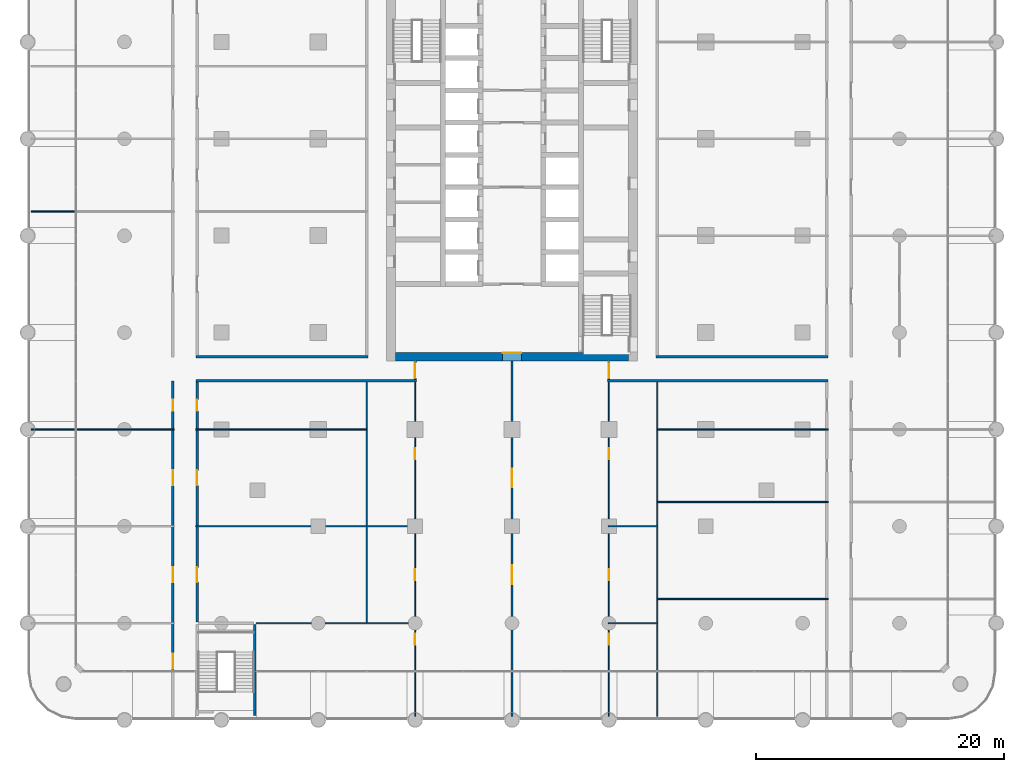
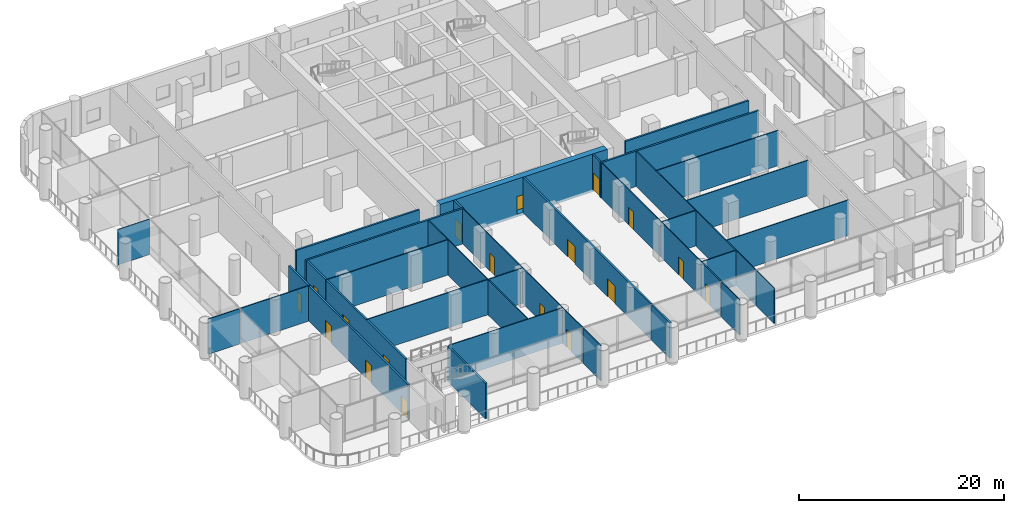
# One storey, part 10 of 24: 30 walls, 18 doors, 18 openings.
"""IFC4 building model written with IfcOpenShell, lengths in metres."""

from ifc_helpers import new_model, si_unit, direction, frame, frame_2d, origin, place, context, subcontext, project, spatial, rectangle, extrude, material, layer, layer_set, type_object, element, fill, save


model = new_model("IFC4")

# Units and contexts
model_context = context("Model", 3, precision=1e-05, world=origin(), true_north=direction((0.0, 1.0)))
body_context = subcontext(model_context, "Body", "Model", "MODEL_VIEW")
ifc_project = project(units=[si_unit("LENGTHUNIT", "METRE"), si_unit("AREAUNIT", "SQUARE_METRE"), si_unit("VOLUMEUNIT", "CUBIC_METRE"), si_unit("PLANEANGLEUNIT", "RADIAN"), si_unit("MASSUNIT", "GRAM", prefix="KILO")], contexts=[model_context])

# Site, building, storey
site_placement = place(None, origin())
site = spatial("IfcSite", under=ifc_project, at=site_placement, CompositionType="ELEMENT")
building_placement = place(site_placement, origin())
building = spatial("IfcBuilding", under=site, at=building_placement, Name="Ludao Terraces", CompositionType="ELEMENT")
storey_placement = place(building_placement, frame((0.0, 0.0, 6.0)))
storey = spatial("IfcBuildingStorey", under=building, at=storey_placement, Name="L01", CompositionType="ELEMENT", Elevation=6.0)

# Wall, opening, door
ifc_material_1 = material(Name="Concrete C70", Category="concrete")
ifc_layer_1 = layer(ifc_material_1, 0.699951171875)
ifc_layer_set_1 = layer_set([ifc_layer_1], Name="Core wall 700 C70")
wall_type_1 = type_object("IfcWallType", Name="Core wall 700 C70", PredefinedType="SOLIDWALL", material=ifc_layer_set_1)
wall_1_placement = place(storey_placement, frame((75.60009765625, 55.25, -0.300048828125), z_axis=(0.0, 0.0, 1.0), x_axis=(1.0, 0.0, 0.0)))
wall_1 = element("IfcWall", 1, at=wall_1_placement, inside=storey, type_object=wall_type_1, Name="Core wall L01 outer-S", PredefinedType="SOLIDWALL", context=body_context, shape_type="SweptSolid", body=[
    extrude(rectangle(XDim=18.7998046875, YDim=0.699951171875, at=frame_2d((9.39990234375, 0.0))), origin(), (0.0, 0.0, 1.0), 4.5),
])
opening_1_placement = place(wall_1_placement, frame((8.64990234375, 0.0, 0.300048828125)))
opening_1 = element("IfcOpeningElement", 2, at=opening_1_placement, cuts=wall_1, Name="Opening L01-027", PredefinedType="OPENING", context=body_context, shape_type="SweptSolid", body=[
    extrude(rectangle(XDim=1.5, YDim=2.10009765625, at=frame_2d((0.75, 1.050048828125))), frame((0.0, 0.35986328125, 0.0), z_axis=(0.0, -1.0, 0.0), x_axis=(1.0, 0.0, 0.0)), (0.0, 0.0, 1.0), 0.719970703125),
])
ifc_material_2 = material(Name="Steel Q235", Category="steel")
door_type_1 = type_object("IfcDoorType", Name="INT Lobby door 1500", OperationType="DOUBLE_DOOR_SINGLE_SWING", PredefinedType="DOOR", material=ifc_material_2)
door_1_placement = place(opening_1_placement, origin())
door_1 = element("IfcDoor", 3, at=door_1_placement, inside=storey, type_object=door_type_1, Name="DOOR 027", OperationType="DOUBLE_DOOR_SINGLE_SWING", OverallHeight=2.10009765625, OverallWidth=1.5, PredefinedType="DOOR", context=body_context, shape_type="SweptSolid", body=[
    extrude(rectangle(XDim=1.5, YDim=2.10009765625, at=frame_2d((0.75, 1.050048828125))), frame((0.0, 0.3349609375, 0.0), z_axis=(0.0, -1.0, 0.0), x_axis=(1.0, 0.0, 0.0)), (0.0, 0.0, 1.0), 0.050048828125),
])
fill(opening_1, door_1)

# Walls
ifc_material_3 = material(Name="Autoclaved aerated concrete block B06 A3.5", Category="concrete")
ifc_layer_2 = layer(ifc_material_3, 0.199951171875)
ifc_layer_set_2 = layer_set([ifc_layer_2], Name="INT Entrance wall 200")
wall_type_2 = type_object("IfcWallType", Name="INT Entrance wall 200", PredefinedType="PARTITIONING", material=ifc_layer_set_2)
for number, where, z_axis, x_axis, name in (
    (4, (59.550048828125, 53.300048828125, 0.0), (0.0, 0.0, 1.0), (1.0, 0.0, 0.0), "PW-L01-PW021"),
    (5, (92.7001953125, 53.300048828125, 0.0), (0.0, 0.0, 1.0), (1.0, 0.0, 0.0), "PW-L01-PW022"),
):
    element("IfcWall", number, at=place(storey_placement, frame(where, z_axis=z_axis, x_axis=x_axis)), inside=storey, type_object=wall_type_2, Name=name, PredefinedType="PARTITIONING", context=body_context, shape_type="SweptSolid", body=[
        extrude(rectangle(XDim=17.75, YDim=0.199951171875, at=frame_2d((8.875, 0.0))), origin(), (0.0, 0.0, 1.0), 4.199951171875),
    ])
for number, where, z_axis, x_axis, name in (
    (6, (59.550048828125, 55.25, 0.0), (0.0, 0.0, 1.0), (1.0, 0.0, 0.0), "PW-L01-PW023"),
    (7, (96.60009765625, 55.25, 0.0), (0.0, 0.0, 1.0), (1.0, 0.0, 0.0), "PW-L01-PW024"),
):
    element("IfcWall", number, at=place(storey_placement, frame(where, z_axis=z_axis, x_axis=x_axis)), inside=storey, type_object=wall_type_2, Name=name, PredefinedType="PARTITIONING", context=body_context, shape_type="SweptSolid", body=[
        extrude(rectangle(XDim=13.85009765625, YDim=0.199951171875, at=frame_2d((6.925048828125, 0.0))), origin(), (0.0, 0.0, 1.0), 4.199951171875),
    ])

# Wall, openings, doors
wall_2_placement = place(storey_placement, frame((57.699951171875, 29.97998046875, 0.0), z_axis=(0.0, 0.0, 1.0), x_axis=(0.0, 1.0, 0.0)))
wall_2 = element("IfcWall", 8, at=wall_2_placement, inside=storey, type_object=wall_type_2, Name="PW-L01-PW050", PredefinedType="PARTITIONING", context=body_context, shape_type="SweptSolid", body=[
    extrude(rectangle(XDim=23.320068359375, YDim=0.199951171875, at=frame_2d((11.66015625, 0.0))), origin(), (0.0, 0.0, 1.0), 4.199951171875),
])
opening_2_placement = place(wall_2_placement, frame((0.14990234375, 0.0, 0.0)))
opening_2 = element("IfcOpeningElement", 9, at=opening_2_placement, cuts=wall_2, Name="Opening L01-002", PredefinedType="OPENING", context=body_context, shape_type="SweptSolid", body=[
    extrude(rectangle(XDim=1.199951171875, YDim=2.10009765625, at=frame_2d((0.60009765625, 1.050048828125))), frame((0.0, 0.10986328125, 0.0), z_axis=(0.0, -1.0, 0.0), x_axis=(1.0, 0.0, 0.0)), (0.0, 0.0, 1.0), 0.219970703125),
])
opening_3_placement = place(wall_2_placement, frame((7.1201171875, 0.0, 0.0)))
opening_3 = element("IfcOpeningElement", 10, at=opening_3_placement, cuts=wall_2, Name="Opening L01-007", PredefinedType="OPENING", context=body_context, shape_type="SweptSolid", body=[
    extrude(rectangle(XDim=1.199951171875, YDim=2.10009765625, at=frame_2d((0.60009765625, 1.050048828125))), frame((0.0, 0.10986328125, 0.0), z_axis=(0.0, -1.0, 0.0), x_axis=(1.0, 0.0, 0.0)), (0.0, 0.0, 1.0), 0.219970703125),
])
opening_4_placement = place(wall_2_placement, frame((14.919921875, 0.0, 0.0)))
opening_4 = element("IfcOpeningElement", 11, at=opening_4_placement, cuts=wall_2, Name="Opening L01-014", PredefinedType="OPENING", context=body_context, shape_type="SweptSolid", body=[
    extrude(rectangle(XDim=1.199951171875, YDim=2.10009765625, at=frame_2d((0.60009765625, 1.050048828125))), frame((0.0, 0.10986328125, 0.0), z_axis=(0.0, -1.0, 0.0), x_axis=(1.0, 0.0, 0.0)), (0.0, 0.0, 1.0), 0.219970703125),
])
opening_5_placement = place(wall_2_placement, frame((20.919921875, 0.0, 0.0)))
opening_5 = element("IfcOpeningElement", 12, at=opening_5_placement, cuts=wall_2, Name="Opening L01-021", PredefinedType="OPENING", context=body_context, shape_type="SweptSolid", body=[
    extrude(rectangle(XDim=0.89990234375, YDim=2.10009765625, at=frame_2d((0.449951171875, 1.050048828125))), frame((0.0, 0.10986328125, 0.0), z_axis=(0.0, -1.0, 0.0), x_axis=(1.0, 0.0, 0.0)), (0.0, 0.0, 1.0), 0.219970703125),
])
ifc_material_4 = material(Name="Timber door leaf", Category="wood")
door_type_2 = type_object("IfcDoorType", Name="INT Double door 1200", OperationType="DOUBLE_DOOR_SINGLE_SWING", PredefinedType="DOOR", material=ifc_material_4)
door_2_placement = place(opening_2_placement, origin())
door_2 = element("IfcDoor", 13, at=door_2_placement, inside=storey, type_object=door_type_2, Name="DOOR 002", OperationType="DOUBLE_DOOR_SINGLE_SWING", OverallHeight=2.10009765625, OverallWidth=1.199951171875, PredefinedType="DOOR", context=body_context, shape_type="SweptSolid", body=[
    extrude(rectangle(XDim=1.199951171875, YDim=2.10009765625, at=frame_2d((0.60009765625, 1.050048828125))), frame((0.0, 0.02490234375, 0.0), z_axis=(0.0, -1.0, 0.0), x_axis=(1.0, 0.0, 0.0)), (0.0, 0.0, 1.0), 0.050048828125),
])
fill(opening_2, door_2)
door_3_placement = place(opening_3_placement, origin())
door_3 = element("IfcDoor", 14, at=door_3_placement, inside=storey, type_object=door_type_2, Name="DOOR 007", OperationType="DOUBLE_DOOR_SINGLE_SWING", OverallHeight=2.10009765625, OverallWidth=1.199951171875, PredefinedType="DOOR", context=body_context, shape_type="SweptSolid", body=[
    extrude(rectangle(XDim=1.199951171875, YDim=2.10009765625, at=frame_2d((0.60009765625, 1.050048828125))), frame((0.0, 0.02490234375, 0.0), z_axis=(0.0, -1.0, 0.0), x_axis=(1.0, 0.0, 0.0)), (0.0, 0.0, 1.0), 0.050048828125),
])
fill(opening_3, door_3)
door_4_placement = place(opening_4_placement, origin())
door_4 = element("IfcDoor", 15, at=door_4_placement, inside=storey, type_object=door_type_2, Name="DOOR 014", OperationType="DOUBLE_DOOR_SINGLE_SWING", OverallHeight=2.10009765625, OverallWidth=1.199951171875, PredefinedType="DOOR", context=body_context, shape_type="SweptSolid", body=[
    extrude(rectangle(XDim=1.199951171875, YDim=2.10009765625, at=frame_2d((0.60009765625, 1.050048828125))), frame((0.0, 0.02490234375, 0.0), z_axis=(0.0, -1.0, 0.0), x_axis=(1.0, 0.0, 0.0)), (0.0, 0.0, 1.0), 0.050048828125),
])
fill(opening_4, door_4)
door_type_3 = type_object("IfcDoorType", Name="INT Room door 900", OperationType="SINGLE_SWING_LEFT", PredefinedType="DOOR", material=ifc_material_4)
door_5_placement = place(opening_5_placement, origin())
door_5 = element("IfcDoor", 16, at=door_5_placement, inside=storey, type_object=door_type_3, Name="DOOR 021", OperationType="SINGLE_SWING_LEFT", OverallHeight=2.10009765625, OverallWidth=0.89990234375, PredefinedType="DOOR", context=body_context, shape_type="SweptSolid", body=[
    extrude(rectangle(XDim=0.89990234375, YDim=2.10009765625, at=frame_2d((0.449951171875, 1.050048828125))), frame((0.0, 0.02490234375, 0.0), z_axis=(0.0, -1.0, 0.0), x_axis=(1.0, 0.0, 0.0)), (0.0, 0.0, 1.0), 0.050048828125),
])
fill(opening_5, door_5)

wall_3_placement = place(storey_placement, frame((59.64990234375, 33.900146484375, 0.0), z_axis=(0.0, 0.0, 1.0), x_axis=(0.0, 1.0, 0.0)))
wall_3 = element("IfcWall", 17, at=wall_3_placement, inside=storey, type_object=wall_type_2, Name="PW-L01-PW052", PredefinedType="PARTITIONING", context=body_context, shape_type="SweptSolid", body=[
    extrude(rectangle(XDim=19.300048828125, YDim=0.199951171875, at=frame_2d((9.64990234375, 0.0))), origin(), (0.0, 0.0, 1.0), 4.199951171875),
])
opening_6_placement = place(wall_3_placement, frame((3.199951171875, 0.0, 0.0)))
opening_6 = element("IfcOpeningElement", 18, at=opening_6_placement, cuts=wall_3, Name="Opening L01-008", PredefinedType="OPENING", context=body_context, shape_type="SweptSolid", body=[
    extrude(rectangle(XDim=1.199951171875, YDim=2.10009765625, at=frame_2d((0.60009765625, 1.050048828125))), frame((0.0, 0.10986328125, 0.0), z_axis=(0.0, -1.0, 0.0), x_axis=(1.0, 0.0, 0.0)), (0.0, 0.0, 1.0), 0.219970703125),
])
opening_7_placement = place(wall_3_placement, frame((11.0, 0.0, 0.0)))
opening_7 = element("IfcOpeningElement", 19, at=opening_7_placement, cuts=wall_3, Name="Opening L01-015", PredefinedType="OPENING", context=body_context, shape_type="SweptSolid", body=[
    extrude(rectangle(XDim=1.199951171875, YDim=2.10009765625, at=frame_2d((0.60009765625, 1.050048828125))), frame((0.0, 0.10986328125, 0.0), z_axis=(0.0, -1.0, 0.0), x_axis=(1.0, 0.0, 0.0)), (0.0, 0.0, 1.0), 0.219970703125),
])
opening_8_placement = place(wall_3_placement, frame((17.0, 0.0, 0.0)))
opening_8 = element("IfcOpeningElement", 20, at=opening_8_placement, cuts=wall_3, Name="Opening L01-022", PredefinedType="OPENING", context=body_context, shape_type="SweptSolid", body=[
    extrude(rectangle(XDim=0.89990234375, YDim=2.10009765625, at=frame_2d((0.449951171875, 1.050048828125))), frame((0.0, 0.10986328125, 0.0), z_axis=(0.0, -1.0, 0.0), x_axis=(1.0, 0.0, 0.0)), (0.0, 0.0, 1.0), 0.219970703125),
])
door_6_placement = place(opening_6_placement, origin())
door_6 = element("IfcDoor", 21, at=door_6_placement, inside=storey, type_object=door_type_2, Name="DOOR 008", OperationType="DOUBLE_DOOR_SINGLE_SWING", OverallHeight=2.10009765625, OverallWidth=1.199951171875, PredefinedType="DOOR", context=body_context, shape_type="SweptSolid", body=[
    extrude(rectangle(XDim=1.199951171875, YDim=2.10009765625, at=frame_2d((0.60009765625, 1.050048828125))), frame((0.0, 0.02490234375, 0.0), z_axis=(0.0, -1.0, 0.0), x_axis=(1.0, 0.0, 0.0)), (0.0, 0.0, 1.0), 0.050048828125),
])
fill(opening_6, door_6)
door_7_placement = place(opening_7_placement, origin())
door_7 = element("IfcDoor", 22, at=door_7_placement, inside=storey, type_object=door_type_2, Name="DOOR 015", OperationType="DOUBLE_DOOR_SINGLE_SWING", OverallHeight=2.10009765625, OverallWidth=1.199951171875, PredefinedType="DOOR", context=body_context, shape_type="SweptSolid", body=[
    extrude(rectangle(XDim=1.199951171875, YDim=2.10009765625, at=frame_2d((0.60009765625, 1.050048828125))), frame((0.0, 0.02490234375, 0.0), z_axis=(0.0, -1.0, 0.0), x_axis=(1.0, 0.0, 0.0)), (0.0, 0.0, 1.0), 0.050048828125),
])
fill(opening_7, door_7)
door_8_placement = place(opening_8_placement, origin())
door_8 = element("IfcDoor", 23, at=door_8_placement, inside=storey, type_object=door_type_3, Name="DOOR 022", OperationType="SINGLE_SWING_LEFT", OverallHeight=2.10009765625, OverallWidth=0.89990234375, PredefinedType="DOOR", context=body_context, shape_type="SweptSolid", body=[
    extrude(rectangle(XDim=0.89990234375, YDim=2.10009765625, at=frame_2d((0.449951171875, 1.050048828125))), frame((0.0, 0.02490234375, 0.0), z_axis=(0.0, -1.0, 0.0), x_axis=(1.0, 0.0, 0.0)), (0.0, 0.0, 1.0), 0.050048828125),
])
fill(opening_8, door_8)

# Wall, opening, door
wall_4_placement = place(storey_placement, frame((77.199951171875, 53.400146484375, 0.0), z_axis=(0.0, 0.0, 1.0), x_axis=(0.0, 1.0, 0.0)))
wall_4 = element("IfcWall", 24, at=wall_4_placement, inside=storey, type_object=wall_type_2, Name="PW-L01-PW059", PredefinedType="PARTITIONING", context=body_context, shape_type="SweptSolid", body=[
    extrude(rectangle(XDim=1.5, YDim=0.199951171875, at=frame_2d((0.75, 0.0))), origin(), (0.0, 0.0, 1.0), 4.199951171875),
])
opening_9_placement = place(wall_4_placement, frame((0.10009765625, 0.0, 0.0)))
opening_9 = element("IfcOpeningElement", 25, at=opening_9_placement, cuts=wall_4, Name="Opening L01-025", PredefinedType="OPENING", context=body_context, shape_type="SweptSolid", body=[
    extrude(rectangle(XDim=1.300048828125, YDim=2.10009765625, at=frame_2d((0.64990234375, 1.050048828125))), frame((0.0, 0.10986328125, 0.0), z_axis=(0.0, -1.0, 0.0), x_axis=(1.0, 0.0, 0.0)), (0.0, 0.0, 1.0), 0.219970703125),
])
door_type_4 = type_object("IfcDoorType", Name="INT Lobby door 1300", OperationType="DOUBLE_DOOR_SINGLE_SWING", PredefinedType="DOOR", material=ifc_material_2)
door_9_placement = place(opening_9_placement, origin())
door_9 = element("IfcDoor", 26, at=door_9_placement, inside=storey, type_object=door_type_4, Name="DOOR 025", OperationType="DOUBLE_DOOR_SINGLE_SWING", OverallHeight=2.10009765625, OverallWidth=1.300048828125, PredefinedType="DOOR", context=body_context, shape_type="SweptSolid", body=[
    extrude(rectangle(XDim=1.300048828125, YDim=2.10009765625, at=frame_2d((0.64990234375, 1.050048828125))), frame((0.0, 0.02490234375, 0.0), z_axis=(0.0, -1.0, 0.0), x_axis=(1.0, 0.0, 0.0)), (0.0, 0.0, 1.0), 0.050048828125),
])
fill(opening_9, door_9)

# Wall
wall_5_placement = place(storey_placement, frame((85.0, 26.300048828125, 0.0), z_axis=(0.0, 0.0, 1.0), x_axis=(0.0, 1.0, 0.0)))
element("IfcWall", 27, at=wall_5_placement, inside=storey, type_object=wall_type_2, Name="PW-L01-PW060", PredefinedType="PARTITIONING", context=body_context, shape_type="SweptSolid", body=[
    extrude(rectangle(XDim=3.52001953125, YDim=0.199951171875, at=frame_2d((1.760009765625, 0.0))), origin(), (0.0, 0.0, 1.0), 4.199951171875),
])

# Wall, openings, doors
wall_6_placement = place(storey_placement, frame((85.0, 29.97998046875, 0.0), z_axis=(0.0, 0.0, 1.0), x_axis=(0.0, 1.0, 0.0)))
wall_6 = element("IfcWall", 28, at=wall_6_placement, inside=storey, type_object=wall_type_2, Name="PW-L01-PW061", PredefinedType="PARTITIONING", context=body_context, shape_type="SweptSolid", body=[
    extrude(rectangle(XDim=24.920166015625, YDim=0.199951171875, at=frame_2d((12.4599609375, 0.0))), origin(), (0.0, 0.0, 1.0), 4.199951171875),
])
opening_10_placement = place(wall_6_placement, frame((6.969970703125, 0.0, 0.0)))
opening_10 = element("IfcOpeningElement", 29, at=opening_10_placement, cuts=wall_6, Name="Opening L01-010", PredefinedType="OPENING", context=body_context, shape_type="SweptSolid", body=[
    extrude(rectangle(XDim=1.5, YDim=2.10009765625, at=frame_2d((0.75, 1.050048828125))), frame((0.0, 0.10986328125, 0.0), z_axis=(0.0, -1.0, 0.0), x_axis=(1.0, 0.0, 0.0)), (0.0, 0.0, 1.0), 0.219970703125),
])
opening_11_placement = place(wall_6_placement, frame((14.77001953125, 0.0, 0.0)))
opening_11 = element("IfcOpeningElement", 30, at=opening_11_placement, cuts=wall_6, Name="Opening L01-016", PredefinedType="OPENING", context=body_context, shape_type="SweptSolid", body=[
    extrude(rectangle(XDim=1.5, YDim=2.10009765625, at=frame_2d((0.75, 1.050048828125))), frame((0.0, 0.10986328125, 0.0), z_axis=(0.0, -1.0, 0.0), x_axis=(1.0, 0.0, 0.0)), (0.0, 0.0, 1.0), 0.219970703125),
])
door_10_placement = place(opening_10_placement, origin())
door_10 = element("IfcDoor", 31, at=door_10_placement, inside=storey, type_object=door_type_1, Name="DOOR 010", OperationType="DOUBLE_DOOR_SINGLE_SWING", OverallHeight=2.10009765625, OverallWidth=1.5, PredefinedType="DOOR", context=body_context, shape_type="SweptSolid", body=[
    extrude(rectangle(XDim=1.5, YDim=2.10009765625, at=frame_2d((0.75, 1.050048828125))), frame((0.0, 0.02490234375, 0.0), z_axis=(0.0, -1.0, 0.0), x_axis=(1.0, 0.0, 0.0)), (0.0, 0.0, 1.0), 0.050048828125),
])
fill(opening_10, door_10)
door_11_placement = place(opening_11_placement, origin())
door_11 = element("IfcDoor", 32, at=door_11_placement, inside=storey, type_object=door_type_1, Name="DOOR 016", OperationType="DOUBLE_DOOR_SINGLE_SWING", OverallHeight=2.10009765625, OverallWidth=1.5, PredefinedType="DOOR", context=body_context, shape_type="SweptSolid", body=[
    extrude(rectangle(XDim=1.5, YDim=2.10009765625, at=frame_2d((0.75, 1.050048828125))), frame((0.0, 0.02490234375, 0.0), z_axis=(0.0, -1.0, 0.0), x_axis=(1.0, 0.0, 0.0)), (0.0, 0.0, 1.0), 0.050048828125),
])
fill(opening_11, door_11)

# Wall, opening, door
wall_7_placement = place(storey_placement, frame((92.800048828125, 53.400146484375, 0.0), z_axis=(0.0, 0.0, 1.0), x_axis=(0.0, 1.0, 0.0)))
wall_7 = element("IfcWall", 33, at=wall_7_placement, inside=storey, type_object=wall_type_2, Name="PW-L01-PW065", PredefinedType="PARTITIONING", context=body_context, shape_type="SweptSolid", body=[
    extrude(rectangle(XDim=1.5, YDim=0.199951171875, at=frame_2d((0.75, 0.0))), origin(), (0.0, 0.0, 1.0), 4.199951171875),
])
opening_12_placement = place(wall_7_placement, frame((0.10009765625, 0.0, 0.0)))
opening_12 = element("IfcOpeningElement", 34, at=opening_12_placement, cuts=wall_7, Name="Opening L01-026", PredefinedType="OPENING", context=body_context, shape_type="SweptSolid", body=[
    extrude(rectangle(XDim=1.300048828125, YDim=2.10009765625, at=frame_2d((0.64990234375, 1.050048828125))), frame((0.0, 0.10986328125, 0.0), z_axis=(0.0, -1.0, 0.0), x_axis=(1.0, 0.0, 0.0)), (0.0, 0.0, 1.0), 0.219970703125),
])
door_12_placement = place(opening_12_placement, origin())
door_12 = element("IfcDoor", 35, at=door_12_placement, inside=storey, type_object=door_type_4, Name="DOOR 026", OperationType="DOUBLE_DOOR_SINGLE_SWING", OverallHeight=2.10009765625, OverallWidth=1.300048828125, PredefinedType="DOOR", context=body_context, shape_type="SweptSolid", body=[
    extrude(rectangle(XDim=1.300048828125, YDim=2.10009765625, at=frame_2d((0.64990234375, 1.050048828125))), frame((0.0, 0.02490234375, 0.0), z_axis=(0.0, -1.0, 0.0), x_axis=(1.0, 0.0, 0.0)), (0.0, 0.0, 1.0), 0.050048828125),
])
fill(opening_12, door_12)

# Walls
ifc_material_5 = material(Name="Gypsum plasterboard", Category="gypsum")
ifc_layer_3 = layer(ifc_material_5, 0.012451171875, Category="gypsum")
ifc_material_6 = material(Name="Mineral wool")
ifc_layer_4 = layer(ifc_material_6, 0.06005859375, Name="insulation")
ifc_layer_5 = layer(ifc_material_2, 0.014892578125, Name="stud")
ifc_layer_6 = layer(ifc_material_5, 0.012451171875, Category="gypsum")
ifc_layer_set_3 = layer_set([ifc_layer_3, ifc_layer_4, ifc_layer_5, ifc_layer_6], Name="INT Partition 100")
wall_type_3 = type_object("IfcWallType", Name="INT Partition 100", PredefinedType="PARTITIONING", material=ifc_layer_set_3)
wall_8_placement = place(storey_placement, frame((64.400146484375, 33.800048828125, 0.0), z_axis=(0.0, 0.0, 1.0), x_axis=(1.0, 0.0, 0.0)))
element("IfcWall", 36, at=wall_8_placement, inside=storey, type_object=wall_type_3, Name="PW-L01-PW003", PredefinedType="PARTITIONING", context=body_context, shape_type="SweptSolid", body=[
    extrude(rectangle(XDim=12.849853515625, YDim=0.10009765625, at=frame_2d((6.4248046875, 0.0))), origin(), (0.0, 0.0, 1.0), 4.199951171875),
])
wall_9_placement = place(storey_placement, frame((92.75, 33.800048828125, 0.0), z_axis=(0.0, 0.0, 1.0), x_axis=(1.0, 0.0, 0.0)))
element("IfcWall", 37, at=wall_9_placement, inside=storey, type_object=wall_type_3, Name="PW-L01-PW004", PredefinedType="PARTITIONING", context=body_context, shape_type="SweptSolid", body=[
    extrude(rectangle(XDim=4.0, YDim=0.10009765625, at=frame_2d((2.0, 0.0))), origin(), (0.0, 0.0, 1.0), 4.199951171875),
])
wall_10_placement = place(storey_placement, frame((96.650146484375, 35.75, 0.0), z_axis=(0.0, 0.0, 1.0), x_axis=(1.0, 0.0, 0.0)))
element("IfcWall", 38, at=wall_10_placement, inside=storey, type_object=wall_type_3, Name="PW-L01-PW005", PredefinedType="PARTITIONING", context=body_context, shape_type="SweptSolid", body=[
    extrude(rectangle(XDim=13.800048828125, YDim=0.10009765625, at=frame_2d((6.89990234375, 0.0))), origin(), (0.0, 0.0, 1.0), 4.199951171875),
])
wall_11_placement = place(storey_placement, frame((59.550048828125, 41.60009765625, 0.0), z_axis=(0.0, 0.0, 1.0), x_axis=(1.0, 0.0, 0.0)))
element("IfcWall", 39, at=wall_11_placement, inside=storey, type_object=wall_type_3, Name="PW-L01-PW010", PredefinedType="PARTITIONING", context=body_context, shape_type="SweptSolid", body=[
    extrude(rectangle(XDim=17.699951171875, YDim=0.10009765625, at=frame_2d((8.85009765625, 0.0))), origin(), (0.0, 0.0, 1.0), 4.199951171875),
])
wall_12_placement = place(storey_placement, frame((92.75, 41.60009765625, 0.0), z_axis=(0.0, 0.0, 1.0), x_axis=(1.0, 0.0, 0.0)))
element("IfcWall", 40, at=wall_12_placement, inside=storey, type_object=wall_type_3, Name="PW-L01-PW011", PredefinedType="PARTITIONING", context=body_context, shape_type="SweptSolid", body=[
    extrude(rectangle(XDim=4.0, YDim=0.10009765625, at=frame_2d((2.0, 0.0))), origin(), (0.0, 0.0, 1.0), 4.199951171875),
])
wall_13_placement = place(storey_placement, frame((96.650146484375, 43.550048828125, 0.0), z_axis=(0.0, 0.0, 1.0), x_axis=(1.0, 0.0, 0.0)))
element("IfcWall", 41, at=wall_13_placement, inside=storey, type_object=wall_type_3, Name="PW-L01-PW012", PredefinedType="PARTITIONING", context=body_context, shape_type="SweptSolid", body=[
    extrude(rectangle(XDim=13.800048828125, YDim=0.10009765625, at=frame_2d((6.89990234375, 0.0))), origin(), (0.0, 0.0, 1.0), 4.199951171875),
])
wall_14_placement = place(storey_placement, frame((46.300048828125, 49.39990234375, 0.0), z_axis=(0.0, 0.0, 1.0), x_axis=(1.0, 0.0, 0.0)))
element("IfcWall", 42, at=wall_14_placement, inside=storey, type_object=wall_type_3, Name="PW-L01-PW015", PredefinedType="PARTITIONING", context=body_context, shape_type="SweptSolid", body=[
    extrude(rectangle(XDim=3.52001953125, YDim=0.10009765625, at=frame_2d((1.760009765625, 0.0))), origin(), (0.0, 0.0, 1.0), 4.199951171875),
])
wall_15_placement = place(storey_placement, frame((49.97998046875, 49.39990234375, 0.0), z_axis=(0.0, 0.0, 1.0), x_axis=(1.0, 0.0, 0.0)))
element("IfcWall", 43, at=wall_15_placement, inside=storey, type_object=wall_type_3, Name="PW-L01-PW016", PredefinedType="PARTITIONING", context=body_context, shape_type="SweptSolid", body=[
    extrude(rectangle(XDim=7.820068359375, YDim=0.10009765625, at=frame_2d((3.91015625, 0.0))), origin(), (0.0, 0.0, 1.0), 4.199951171875),
])
for number, where, z_axis, x_axis, name in (
    (44, (59.550048828125, 49.39990234375, 0.0), (0.0, 0.0, 1.0), (1.0, 0.0, 0.0), "PW-L01-PW017"),
    (45, (96.650146484375, 49.39990234375, 0.0), (0.0, 0.0, 1.0), (1.0, 0.0, 0.0), "PW-L01-PW018"),
):
    element("IfcWall", number, at=place(storey_placement, frame(where, z_axis=z_axis, x_axis=x_axis)), inside=storey, type_object=wall_type_3, Name=name, PredefinedType="PARTITIONING", context=body_context, shape_type="SweptSolid", body=[
        extrude(rectangle(XDim=13.800048828125, YDim=0.10009765625, at=frame_2d((6.89990234375, 0.0))), origin(), (0.0, 0.0, 1.0), 4.199951171875),
    ])
wall_16_placement = place(storey_placement, frame((46.300048828125, 66.949951171875, 0.0), z_axis=(0.0, 0.0, 1.0), x_axis=(1.0, 0.0, 0.0)))
element("IfcWall", 46, at=wall_16_placement, inside=storey, type_object=wall_type_3, Name="PW-L01-PW029", PredefinedType="PARTITIONING", context=body_context, shape_type="SweptSolid", body=[
    extrude(rectangle(XDim=3.52001953125, YDim=0.10009765625, at=frame_2d((1.760009765625, 0.0))), origin(), (0.0, 0.0, 1.0), 4.199951171875),
])
wall_17_placement = place(storey_placement, frame((73.300048828125, 33.85009765625, 0.0), z_axis=(0.0, 0.0, 1.0), x_axis=(0.0, 1.0, 0.0)))
element("IfcWall", 47, at=wall_17_placement, inside=storey, type_object=wall_type_3, Name="PW-L01-PW054", PredefinedType="PARTITIONING", context=body_context, shape_type="SweptSolid", body=[
    extrude(rectangle(XDim=19.35009765625, YDim=0.10009765625, at=frame_2d((9.675048828125, 0.0))), origin(), (0.0, 0.0, 1.0), 4.199951171875),
])
wall_18_placement = place(storey_placement, frame((77.199951171875, 26.300048828125, 0.0), z_axis=(0.0, 0.0, 1.0), x_axis=(0.0, 1.0, 0.0)))
element("IfcWall", 48, at=wall_18_placement, inside=storey, type_object=wall_type_3, Name="PW-L01-PW057", PredefinedType="PARTITIONING", context=body_context, shape_type="SweptSolid", body=[
    extrude(rectangle(XDim=3.52001953125, YDim=0.10009765625, at=frame_2d((1.760009765625, 0.0))), origin(), (0.0, 0.0, 1.0), 4.199951171875),
])

# Wall, openings, doors
wall_19_placement = place(storey_placement, frame((77.199951171875, 29.97998046875, 0.0), z_axis=(0.0, 0.0, 1.0), x_axis=(0.0, 1.0, 0.0)))
wall_19 = element("IfcWall", 49, at=wall_19_placement, inside=storey, type_object=wall_type_3, Name="PW-L01-PW058", PredefinedType="PARTITIONING", context=body_context, shape_type="SweptSolid", body=[
    extrude(rectangle(XDim=23.22021484375, YDim=0.10009765625, at=frame_2d((11.610107421875, 0.0))), origin(), (0.0, 0.0, 1.0), 4.199951171875),
])
opening_13_placement = place(wall_19_placement, frame((2.070068359375, 0.0, 0.0)))
opening_13 = element("IfcOpeningElement", 50, at=opening_13_placement, cuts=wall_19, Name="Opening L01-005", PredefinedType="OPENING", context=body_context, shape_type="SweptSolid", body=[
    extrude(rectangle(XDim=0.89990234375, YDim=2.10009765625, at=frame_2d((0.449951171875, 1.050048828125))), frame((0.0, 0.06005859375, 0.0), z_axis=(0.0, -1.0, 0.0), x_axis=(1.0, 0.0, 0.0)), (0.0, 0.0, 1.0), 0.1201171875),
])
opening_14_placement = place(wall_19_placement, frame((7.27001953125, 0.0, 0.0)))
opening_14 = element("IfcOpeningElement", 51, at=opening_14_placement, cuts=wall_19, Name="Opening L01-009", PredefinedType="OPENING", context=body_context, shape_type="SweptSolid", body=[
    extrude(rectangle(XDim=0.89990234375, YDim=2.10009765625, at=frame_2d((0.449951171875, 1.050048828125))), frame((0.0, 0.06005859375, 0.0), z_axis=(0.0, -1.0, 0.0), x_axis=(1.0, 0.0, 0.0)), (0.0, 0.0, 1.0), 0.1201171875),
])
opening_15_placement = place(wall_19_placement, frame((17.02001953125, 0.0, 0.0)))
opening_15 = element("IfcOpeningElement", 52, at=opening_15_placement, cuts=wall_19, Name="Opening L01-019", PredefinedType="OPENING", context=body_context, shape_type="SweptSolid", body=[
    extrude(rectangle(XDim=0.89990234375, YDim=2.10009765625, at=frame_2d((0.449951171875, 1.050048828125))), frame((0.0, 0.06005859375, 0.0), z_axis=(0.0, -1.0, 0.0), x_axis=(1.0, 0.0, 0.0)), (0.0, 0.0, 1.0), 0.1201171875),
])
door_13_placement = place(opening_13_placement, origin())
door_13 = element("IfcDoor", 53, at=door_13_placement, inside=storey, type_object=door_type_3, Name="DOOR 005", OperationType="SINGLE_SWING_RIGHT", OverallHeight=2.10009765625, OverallWidth=0.89990234375, PredefinedType="DOOR", context=body_context, shape_type="SweptSolid", body=[
    extrude(rectangle(XDim=0.89990234375, YDim=2.10009765625, at=frame_2d((0.449951171875, 1.050048828125))), frame((0.0, 0.02490234375, 0.0), z_axis=(0.0, -1.0, 0.0), x_axis=(1.0, 0.0, 0.0)), (0.0, 0.0, 1.0), 0.050048828125),
])
fill(opening_13, door_13)
door_14_placement = place(opening_14_placement, origin())
door_14 = element("IfcDoor", 54, at=door_14_placement, inside=storey, type_object=door_type_3, Name="DOOR 009", OperationType="SINGLE_SWING_LEFT", OverallHeight=2.10009765625, OverallWidth=0.89990234375, PredefinedType="DOOR", context=body_context, shape_type="SweptSolid", body=[
    extrude(rectangle(XDim=0.89990234375, YDim=2.10009765625, at=frame_2d((0.449951171875, 1.050048828125))), frame((0.0, 0.02490234375, 0.0), z_axis=(0.0, -1.0, 0.0), x_axis=(1.0, 0.0, 0.0)), (0.0, 0.0, 1.0), 0.050048828125),
])
fill(opening_14, door_14)
door_15_placement = place(opening_15_placement, origin())
door_15 = element("IfcDoor", 55, at=door_15_placement, inside=storey, type_object=door_type_3, Name="DOOR 019", OperationType="SINGLE_SWING_RIGHT", OverallHeight=2.10009765625, OverallWidth=0.89990234375, PredefinedType="DOOR", context=body_context, shape_type="SweptSolid", body=[
    extrude(rectangle(XDim=0.89990234375, YDim=2.10009765625, at=frame_2d((0.449951171875, 1.050048828125))), frame((0.0, 0.02490234375, 0.0), z_axis=(0.0, -1.0, 0.0), x_axis=(1.0, 0.0, 0.0)), (0.0, 0.0, 1.0), 0.050048828125),
])
fill(opening_15, door_15)

# Wall
wall_20_placement = place(storey_placement, frame((92.800048828125, 26.300048828125, 0.0), z_axis=(0.0, 0.0, 1.0), x_axis=(0.0, 1.0, 0.0)))
element("IfcWall", 56, at=wall_20_placement, inside=storey, type_object=wall_type_3, Name="PW-L01-PW063", PredefinedType="PARTITIONING", context=body_context, shape_type="SweptSolid", body=[
    extrude(rectangle(XDim=3.52001953125, YDim=0.10009765625, at=frame_2d((1.760009765625, 0.0))), origin(), (0.0, 0.0, 1.0), 4.199951171875),
])

# Wall, openings, doors
wall_21_placement = place(storey_placement, frame((92.800048828125, 29.97998046875, 0.0), z_axis=(0.0, 0.0, 1.0), x_axis=(0.0, 1.0, 0.0)))
wall_21 = element("IfcWall", 57, at=wall_21_placement, inside=storey, type_object=wall_type_3, Name="PW-L01-PW064", PredefinedType="PARTITIONING", context=body_context, shape_type="SweptSolid", body=[
    extrude(rectangle(XDim=23.22021484375, YDim=0.10009765625, at=frame_2d((11.610107421875, 0.0))), origin(), (0.0, 0.0, 1.0), 4.199951171875),
])
opening_16_placement = place(wall_21_placement, frame((2.070068359375, 0.0, 0.0)))
opening_16 = element("IfcOpeningElement", 58, at=opening_16_placement, cuts=wall_21, Name="Opening L01-006", PredefinedType="OPENING", context=body_context, shape_type="SweptSolid", body=[
    extrude(rectangle(XDim=0.89990234375, YDim=2.10009765625, at=frame_2d((0.449951171875, 1.050048828125))), frame((0.0, 0.06005859375, 0.0), z_axis=(0.0, -1.0, 0.0), x_axis=(1.0, 0.0, 0.0)), (0.0, 0.0, 1.0), 0.1201171875),
])
opening_17_placement = place(wall_21_placement, frame((7.27001953125, 0.0, 0.0)))
opening_17 = element("IfcOpeningElement", 59, at=opening_17_placement, cuts=wall_21, Name="Opening L01-011", PredefinedType="OPENING", context=body_context, shape_type="SweptSolid", body=[
    extrude(rectangle(XDim=0.89990234375, YDim=2.10009765625, at=frame_2d((0.449951171875, 1.050048828125))), frame((0.0, 0.06005859375, 0.0), z_axis=(0.0, -1.0, 0.0), x_axis=(1.0, 0.0, 0.0)), (0.0, 0.0, 1.0), 0.1201171875),
])
opening_18_placement = place(wall_21_placement, frame((17.02001953125, 0.0, 0.0)))
opening_18 = element("IfcOpeningElement", 60, at=opening_18_placement, cuts=wall_21, Name="Opening L01-020", PredefinedType="OPENING", context=body_context, shape_type="SweptSolid", body=[
    extrude(rectangle(XDim=0.89990234375, YDim=2.10009765625, at=frame_2d((0.449951171875, 1.050048828125))), frame((0.0, 0.06005859375, 0.0), z_axis=(0.0, -1.0, 0.0), x_axis=(1.0, 0.0, 0.0)), (0.0, 0.0, 1.0), 0.1201171875),
])
door_16_placement = place(opening_16_placement, origin())
door_16 = element("IfcDoor", 61, at=door_16_placement, inside=storey, type_object=door_type_3, Name="DOOR 006", OperationType="SINGLE_SWING_LEFT", OverallHeight=2.10009765625, OverallWidth=0.89990234375, PredefinedType="DOOR", context=body_context, shape_type="SweptSolid", body=[
    extrude(rectangle(XDim=0.89990234375, YDim=2.10009765625, at=frame_2d((0.449951171875, 1.050048828125))), frame((0.0, 0.02490234375, 0.0), z_axis=(0.0, -1.0, 0.0), x_axis=(1.0, 0.0, 0.0)), (0.0, 0.0, 1.0), 0.050048828125),
])
fill(opening_16, door_16)
door_17_placement = place(opening_17_placement, origin())
door_17 = element("IfcDoor", 62, at=door_17_placement, inside=storey, type_object=door_type_3, Name="DOOR 011", OperationType="SINGLE_SWING_LEFT", OverallHeight=2.10009765625, OverallWidth=0.89990234375, PredefinedType="DOOR", context=body_context, shape_type="SweptSolid", body=[
    extrude(rectangle(XDim=0.89990234375, YDim=2.10009765625, at=frame_2d((0.449951171875, 1.050048828125))), frame((0.0, 0.02490234375, 0.0), z_axis=(0.0, -1.0, 0.0), x_axis=(1.0, 0.0, 0.0)), (0.0, 0.0, 1.0), 0.050048828125),
])
fill(opening_17, door_17)
door_18_placement = place(opening_18_placement, origin())
door_18 = element("IfcDoor", 63, at=door_18_placement, inside=storey, type_object=door_type_3, Name="DOOR 020", OperationType="SINGLE_SWING_RIGHT", OverallHeight=2.10009765625, OverallWidth=0.89990234375, PredefinedType="DOOR", context=body_context, shape_type="SweptSolid", body=[
    extrude(rectangle(XDim=0.89990234375, YDim=2.10009765625, at=frame_2d((0.449951171875, 1.050048828125))), frame((0.0, 0.02490234375, 0.0), z_axis=(0.0, -1.0, 0.0), x_axis=(1.0, 0.0, 0.0)), (0.0, 0.0, 1.0), 0.050048828125),
])
fill(opening_18, door_18)

# Walls
wall_22_placement = place(storey_placement, frame((96.699951171875, 26.300048828125, 0.0), z_axis=(0.0, 0.0, 1.0), x_axis=(0.0, 1.0, 0.0)))
element("IfcWall", 64, at=wall_22_placement, inside=storey, type_object=wall_type_3, Name="PW-L01-PW067", PredefinedType="PARTITIONING", context=body_context, shape_type="SweptSolid", body=[
    extrude(rectangle(XDim=3.52001953125, YDim=0.10009765625, at=frame_2d((1.760009765625, 0.0))), origin(), (0.0, 0.0, 1.0), 4.199951171875),
])
wall_23_placement = place(storey_placement, frame((96.699951171875, 29.97998046875, 0.0), z_axis=(0.0, 0.0, 1.0), x_axis=(0.0, 1.0, 0.0)))
element("IfcWall", 65, at=wall_23_placement, inside=storey, type_object=wall_type_3, Name="PW-L01-PW068", PredefinedType="PARTITIONING", context=body_context, shape_type="SweptSolid", body=[
    extrude(rectangle(XDim=23.22021484375, YDim=0.10009765625, at=frame_2d((11.610107421875, 0.0))), origin(), (0.0, 0.0, 1.0), 4.199951171875),
])
ifc_material_7 = material(Name="Concrete C50", Category="concrete")
ifc_layer_7 = layer(ifc_material_7, 0.199951171875)
ifc_layer_set_4 = layer_set([ifc_layer_7], Name="Shaft wall 200 C50")
wall_type_4 = type_object("IfcWallType", Name="Shaft wall 200 C50", PredefinedType="SOLIDWALL", material=ifc_layer_set_4)
wall_24_placement = place(storey_placement, frame((64.300048828125, 26.3798828125, 0.0), z_axis=(0.0, 0.0, 1.0), x_axis=(0.0, 1.0, 0.0)))
element("IfcWall", 66, at=wall_24_placement, inside=storey, type_object=wall_type_4, Name="Stair wall L01 PS1 E", PredefinedType="SOLIDWALL", context=body_context, shape_type="SweptSolid", body=[
    extrude(rectangle(XDim=7.320068359375, YDim=0.199951171875, at=frame_2d((3.66015625, 0.0))), origin(), (0.0, 0.0, 1.0), 4.199951171875),
])

save(model, "model.ifc")
